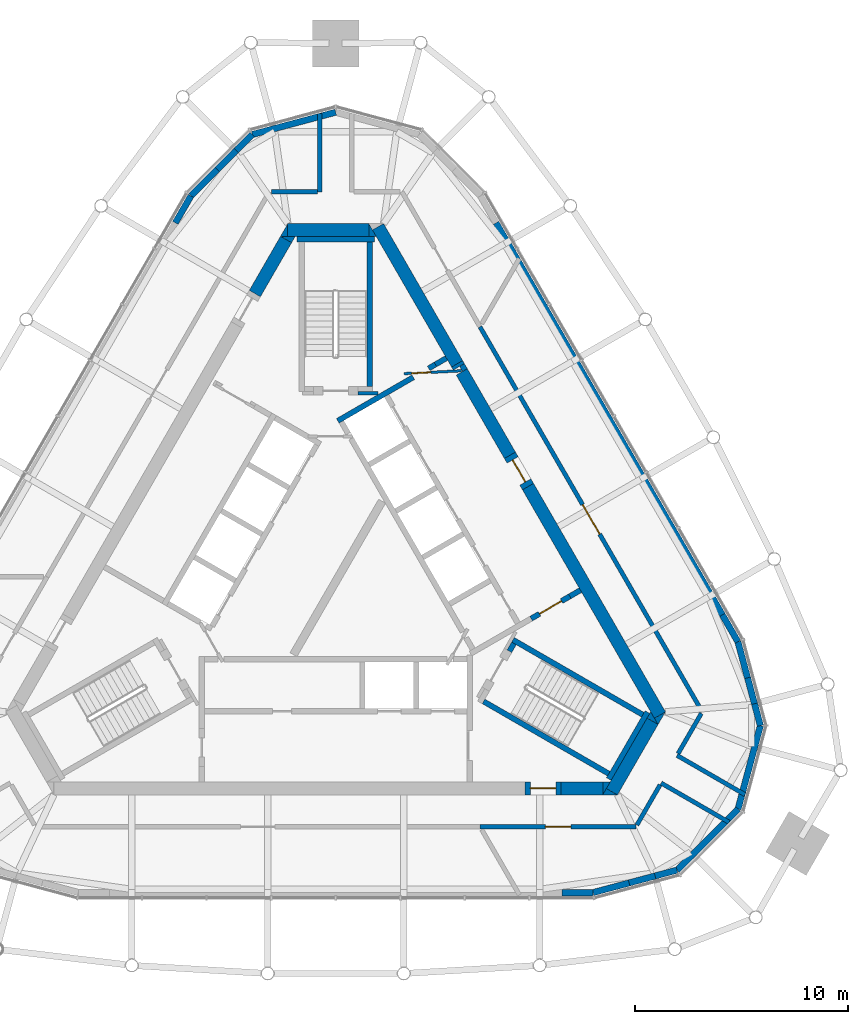
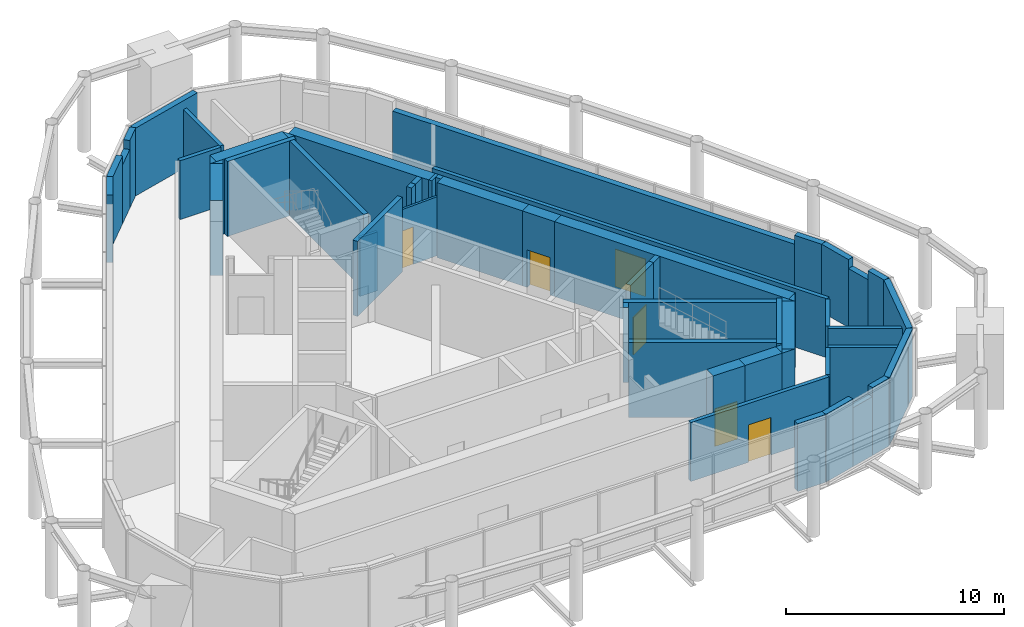
# One storey, part 9 of 11: 55 walls, 6 doors, 6 openings.
"""IFC4 building model written with IfcOpenShell, lengths in metres."""

import ifcopenshell
import ifcopenshell.guid

model = None  # the IFC model being written
_history = None  # IfcOwnerHistory: only IFC2X3 demands one
_inside = {}  # id of a spatial element -> (the spatial element, [elements in it])
_under = {}  # id of a project, library or spatial element -> (it, [spatial elements below it])
_declared = {}  # id of a project -> (the project, [libraries it declares])
_typed = {}  # id of a type object -> (the type object, [elements of that type])
_made_of = {}  # id of a material, layer set ... -> (it, [elements and type objects made of it])


def new_model(schema):
    """Start an empty IFC model of exactly this schema.

    Asked for "IFC4X3", IfcOpenShell would pick the latest addendum, in which some entities
    have other attributes; the version numbers below select the first issue.
    IFC2X3 requires an IfcOwnerHistory on every rooted entity: one is made here for all.
    """
    global model, _history
    if schema == "IFC4X3":
        model = ifcopenshell.file(schema_version=(4, 3, 0, 0))
    else:
        model = ifcopenshell.file(schema=schema)
    _inside.clear()
    _under.clear()
    _declared.clear()
    _typed.clear()
    _made_of.clear()
    _history = None
    if model.schema == "IFC2X3":
        org = make("IfcOrganization", Name="unknown")
        user = make(
            "IfcPersonAndOrganization",
            ThePerson=make("IfcPerson", FamilyName="unknown"),
            TheOrganization=org,
        )
        app = make(
            "IfcApplication",
            ApplicationDeveloper=org,
            Version="unknown",
            ApplicationFullName="unknown",
            ApplicationIdentifier="unknown",
        )
        _history = make(
            "IfcOwnerHistory",
            OwningUser=user,
            OwningApplication=app,
            ChangeAction="ADDED",
            CreationDate=0,
        )
    return model


def make(cls, **values):
    """One entity of the class cls with the attributes given. An attribute that is None is left unset."""
    return model.create_entity(
        cls, **{name: value for name, value in values.items() if value is not None}
    )


def rooted(cls, **values):
    """An entity with a GlobalId (a new one), such as an element, a storey or a relation."""
    return make(cls, GlobalId=ifcopenshell.guid.new(), OwnerHistory=_history, **values)


def si_unit(unit_type, name, prefix=None):
    """IfcSIUnit, for example si_unit("LENGTHUNIT", "METRE", prefix="MILLI")."""
    return make("IfcSIUnit", UnitType=unit_type, Prefix=prefix, Name=name)


def assignment(units):
    """IfcUnitAssignment: the units of a project."""
    return None if units is None else make("IfcUnitAssignment", Units=units)


def point(xyz):
    """IfcCartesianPoint."""
    return None if xyz is None else make("IfcCartesianPoint", Coordinates=xyz)


def direction(xyz):
    """IfcDirection."""
    return None if xyz is None else make("IfcDirection", DirectionRatios=xyz)


def frame(location, z_axis=None, x_axis=None):
    """IfcAxis2Placement3D, a coordinate frame: its origin and axes. An axis left out is left unset."""
    return make(
        "IfcAxis2Placement3D",
        Location=point(location),
        Axis=direction(z_axis),
        RefDirection=direction(x_axis),
    )


def frame_2d(location, x_axis=None):
    """IfcAxis2Placement2D, a coordinate frame in the plane: its origin and x axis."""
    return make(
        "IfcAxis2Placement2D", Location=point(location), RefDirection=direction(x_axis)
    )


def origin():
    """The frame at (0, 0, 0) with its axes left unset."""
    return frame((0.0, 0.0, 0.0))


def place(relative_to, where):
    """IfcLocalPlacement: puts the frame where relative to a parent placement (None: the world)."""
    return make(
        "IfcLocalPlacement", PlacementRelTo=relative_to, RelativePlacement=where
    )


def context(
    kind, dimensions, precision=None, world=None, true_north=None, identifier=None
):
    """IfcGeometricRepresentationContext, for example the 3D "Model" context."""
    return make(
        "IfcGeometricRepresentationContext",
        ContextIdentifier=identifier,
        ContextType=kind,
        CoordinateSpaceDimension=dimensions,
        Precision=precision,
        WorldCoordinateSystem=world,
        TrueNorth=true_north,
    )


def subcontext(parent, identifier, kind, view, scale=None):
    """IfcGeometricRepresentationSubContext, for example "Body" below "Model"."""
    return make(
        "IfcGeometricRepresentationSubContext",
        ContextIdentifier=identifier,
        ContextType=kind,
        ParentContext=parent,
        TargetScale=scale,
        TargetView=view,
    )


def project(units=None, contexts=None):
    """IfcProject with its units and contexts."""
    return rooted(
        "IfcProject",
        Name="project",
        RepresentationContexts=contexts,
        UnitsInContext=assignment(units),
    )


def spatial(cls, under=None, at=None, **own):
    """A site, building, storey or space (cls), placed at a placement, below another one or the project."""
    s = rooted(cls, ObjectPlacement=at, **own)
    if under is not None:
        _under.setdefault(under.id(), (under, []))[1].append(s)
    return s


def polyline(points):
    """IfcPolyline through the points."""
    return make("IfcPolyline", Points=[point(p) for p in points])


def profile(cls, at=None, kind="AREA", **sizes):
    """A parametric profile (cls). Its sizes go by their IFC names, for example OverallWidth=200.0."""
    return make(cls, ProfileType=kind, Position=at, **sizes)


def rectangle(**sizes):
    """IfcRectangleProfileDef."""
    return profile("IfcRectangleProfileDef", **sizes)


def outline(outer, holes=None, kind="AREA"):
    """IfcArbitraryClosedProfileDef: a profile drawn as a closed curve; with holes, ...WithVoids."""
    if holes is None:
        return make("IfcArbitraryClosedProfileDef", ProfileType=kind, OuterCurve=outer)
    return make(
        "IfcArbitraryProfileDefWithVoids",
        ProfileType=kind,
        OuterCurve=outer,
        InnerCurves=holes,
    )


def extrude(swept, where, along, depth):
    """IfcExtrudedAreaSolid: the profile swept, set in the frame where, extruded along a direction by depth."""
    return make(
        "IfcExtrudedAreaSolid",
        SweptArea=swept,
        Position=where,
        ExtrudedDirection=direction(along),
        Depth=depth,
    )


def shape(context_of_items, identifier, shape_type, items):
    """IfcShapeRepresentation: the items that make up one representation, for example the "Body"."""
    return make(
        "IfcShapeRepresentation",
        ContextOfItems=context_of_items,
        RepresentationIdentifier=identifier,
        RepresentationType=shape_type,
        Items=items,
    )


def material(Name=None, Category=None):
    """IfcMaterial."""
    return make("IfcMaterial", Name=Name, Category=Category)


def layer(
    of_material, thickness, ventilated=None, Name=None, Category=None, Priority=None
):
    """IfcMaterialLayer: one layer of a wall or slab, of a material (None: an air gap)."""
    return make(
        "IfcMaterialLayer",
        Material=of_material,
        LayerThickness=thickness,
        IsVentilated=ventilated,
        Name=Name,
        Category=Category,
        Priority=Priority,
    )


def layer_set(layers, Name=None):
    """IfcMaterialLayerSet."""
    return make("IfcMaterialLayerSet", MaterialLayers=layers, LayerSetName=Name)


def made_of(thing, what):
    """Note that an element or type object is made of a material, layer set ...; save() writes the relation."""
    if what is not None:
        _made_of.setdefault(what.id(), (what, []))[1].append(thing)
    return thing


def type_object(cls, material=None, **own):
    """A type object (cls), such as IfcWallType, which elements share."""
    return made_of(rooted(cls, **own), material)


def element(
    cls,
    number,
    at=None,
    inside=None,
    cuts=None,
    type_object=None,
    material=None,
    context=None,
    identifier="Body",
    shape_type=None,
    held_by="IfcProductDefinitionShape",
    body=None,
    shapes=None,
    **own,
):
    """One element of the class cls, such as IfcWall. Its Tag is "e" and its number.

    at: its placement. inside: the storey or other place that contains it. cuts: it is an
    opening in that element (IfcRelVoidsElement). A single representation is given by context,
    identifier, shape_type and body (its items); several are given by shapes. held_by: the class
    of the entity that holds the representations. save() writes the other relations.
    """
    e = rooted(cls, Tag="e%d" % number, ObjectPlacement=at, **own)
    if body is not None:
        shapes = [shape(context, identifier, shape_type, body)]
    if shapes is not None:
        e.Representation = make(held_by, Representations=shapes)
    if inside is not None:
        _inside.setdefault(inside.id(), (inside, []))[1].append(e)
    if cuts is not None:
        rooted(
            "IfcRelVoidsElement", RelatingBuildingElement=cuts, RelatedOpeningElement=e
        )
    if type_object is not None:
        _typed.setdefault(type_object.id(), (type_object, []))[1].append(e)
    return made_of(e, material)


def fill(opening, filler):
    """IfcRelFillsElement: the door or window that sits in an opening."""
    return rooted(
        "IfcRelFillsElement",
        RelatingOpeningElement=opening,
        RelatedBuildingElement=filler,
    )


def aggregate(whole, parts):
    """IfcRelAggregates: a whole, such as a stair, and the parts it consists of."""
    return rooted("IfcRelAggregates", RelatingObject=whole, RelatedObjects=parts)


def save(model, path):
    """Write the relations noted so far, then the file.

    IfcRelAggregates (storeys below a building ...), IfcRelContainedInSpatialStructure (elements
    in a storey), IfcRelDefinesByType, IfcRelAssociatesMaterial and IfcRelDeclares: one each for
    every whole, place, type object, material and project.
    """
    for whole, parts in _under.values():
        aggregate(whole, parts)
    for where, things in _inside.values():
        rooted(
            "IfcRelContainedInSpatialStructure",
            RelatedElements=things,
            RelatingStructure=where,
        )
    for kind, things in _typed.values():
        rooted("IfcRelDefinesByType", RelatedObjects=things, RelatingType=kind)
    for what, things in _made_of.values():
        rooted("IfcRelAssociatesMaterial", RelatedObjects=things, RelatingMaterial=what)
    for by, libraries in _declared.values():
        rooted("IfcRelDeclares", RelatingContext=by, RelatedDefinitions=libraries)
    model.write(path)


model = new_model("IFC4")

# Units and contexts
model_context = context("Model", 3, precision=1e-05, world=origin(), true_north=direction((0.0, 1.0)))
body_context = subcontext(model_context, "Body", "Model", "MODEL_VIEW")
ifc_project = project(units=[si_unit("LENGTHUNIT", "METRE"), si_unit("AREAUNIT", "SQUARE_METRE"), si_unit("VOLUMEUNIT", "CUBIC_METRE"), si_unit("PLANEANGLEUNIT", "RADIAN"), si_unit("MASSUNIT", "GRAM", prefix="KILO")], contexts=[model_context])

# Site, building, storey
site_placement = place(None, origin())
site = spatial("IfcSite", under=ifc_project, at=site_placement, CompositionType="ELEMENT")
building_placement = place(site_placement, origin())
building = spatial("IfcBuilding", under=site, at=building_placement, Name="Mestral Congress Tower", CompositionType="ELEMENT")
storey_placement = place(building_placement, frame((0.0, 0.0, 344.39990234375)))
storey = spatial("IfcBuildingStorey", under=building, at=storey_placement, Name="L80", CompositionType="ELEMENT", Elevation=344.39990234375)

# Wall
ifc_material_1 = material(Name="Fire-rated board partition")
ifc_layer_1 = layer(ifc_material_1, 0.14990234375)
ifc_layer_set_1 = layer_set([ifc_layer_1], Name="Fire-rated board partition")
wall_type_1 = type_object("IfcWallType", Name="Core partition 150", PredefinedType="PARTITIONING", material=ifc_layer_set_1)
wall_1_placement = place(storey_placement, frame((1.050048828125, 8.62548828125, 0.0), z_axis=(0.0, 0.0, 1.0), x_axis=(1.0, 0.0, 0.0)))
element("IfcWall", 1, at=wall_1_placement, inside=storey, type_object=wall_type_1, Name="L80 core wall", PredefinedType="PARTITIONING", context=body_context, shape_type="SweptSolid", body=[
    extrude(rectangle(XDim=0.9287109375, YDim=0.14990234375, at=frame_2d((0.46435546875, 0.0))), origin(), (0.0, 0.0, 1.0), 3.300048828125),
])

# Wall, opening, door
ifc_layer_2 = layer(ifc_material_1, 0.1201171875)
ifc_layer_set_2 = layer_set([ifc_layer_2], Name="Fire-rated board partition")
wall_type_2 = type_object("IfcWallType", Name="Core partition 150 door-wall 120", PredefinedType="PARTITIONING", material=ifc_layer_set_2)
wall_2_placement = place(storey_placement, frame((5.917236328125, 9.684326171875, 0.0), z_axis=(0.0, 0.0, 1.0), x_axis=(-0.998758194515, -0.049820366212, 0.0)))
wall_2 = element("IfcWall", 2, at=wall_2_placement, inside=storey, type_object=wall_type_2, Name="L80 door wall", PredefinedType="PARTITIONING", context=body_context, shape_type="SweptSolid", body=[
    extrude(rectangle(XDim=2.7001953125, YDim=0.119873046875, at=frame_2d((1.35009765625, 0.0))), origin(), (0.0, 0.0, 1.0), 3.300048828125),
])
opening_1_placement = place(wall_2_placement, frame((1.449951171875, 0.0, 0.0)))
opening_1 = element("IfcOpeningElement", 3, at=opening_1_placement, cuts=wall_2, Name="Opening TD2", PredefinedType="OPENING", context=body_context, shape_type="SweptSolid", body=[
    extrude(rectangle(XDim=0.89990234375, YDim=2.10009765625, at=frame_2d((0.449951171875, 1.050048828125))), frame((0.0, 0.06982421875, 0.0), z_axis=(0.0, -1.0, 0.0), x_axis=(1.0, 0.0, 0.0)), (0.0, 0.0, 1.0), 0.139892578125),
])
ifc_material_2 = material(Name="Fire-rated steel door set", Category="steel")
door_type_1 = type_object("IfcDoorType", Name="Core door SR 900x2100", OperationType="SINGLE_SWING_LEFT", PredefinedType="DOOR", material=ifc_material_2)
door_1_placement = place(opening_1_placement, origin())
door_1 = element("IfcDoor", 4, at=door_1_placement, inside=storey, type_object=door_type_1, Name="Door TD2", OperationType="SINGLE_SWING_LEFT", OverallHeight=2.10009765625, OverallWidth=0.89990234375, PredefinedType="DOOR", context=body_context, shape_type="SweptSolid", body=[
    extrude(rectangle(XDim=0.89990234375, YDim=2.10009765625, at=frame_2d((0.449951171875, 1.050048828125))), frame((0.0, 0.02490234375, 0.0), z_axis=(0.0, -1.0, 0.0), x_axis=(1.0, 0.0, 0.0)), (0.0, 0.0, 1.0), 0.050048828125),
])
fill(opening_1, door_1)

# Walls
ifc_material_3 = material(Name="Concrete C60/75", Category="concrete")
ifc_layer_3 = layer(ifc_material_3, 0.60009765625)
ifc_layer_set_3 = layer_set([ifc_layer_3], Name="Concrete C60/75")
wall_type_3 = type_object("IfcWallType", Name="Core wall RC 600", PredefinedType="SOLIDWALL", material=ifc_layer_set_3)
wall_3_placement = place(storey_placement, frame((9.0419921875, 4.23876953125, 0.0), z_axis=(0.0, 0.0, 1.0), x_axis=(0.500005785455, -0.866022063525, 0.0)))
element("IfcWall", 5, at=wall_3_placement, inside=storey, type_object=wall_type_3, Name="L80 core wall", PredefinedType="SOLIDWALL", context=body_context, shape_type="SweptSolid", body=[
    extrude(rectangle(XDim=12.406494140625, YDim=0.60009765625, at=frame_2d((6.203125, 0.0))), origin(), (0.0, 0.0, 1.0), 4.2001953125),
])
placement = place(storey_placement, origin())
element("IfcWall", 6, at=placement, inside=storey, type_object=wall_type_3, Name="L80 core wall", PredefinedType="SOLIDWALL", context=body_context, shape_type="SweptSolid", body=[
    extrude(outline(polyline([(15.155517578125, -6.949951171875), (14.986572265625, -6.6572265625), (15.493408203125, -6.364501953125), (15.155517578125, -6.949951171875)])), origin(), (0.0, 0.0, 1.0), 4.2001953125),
])
wall_5_placement = place(storey_placement, frame((12.9873046875, -10.105712890625, 0.0), z_axis=(0.0, 0.0, 1.0), x_axis=(0.499950938802, 0.866053727428, 0.0)))
element("IfcWall", 7, at=wall_5_placement, inside=storey, type_object=wall_type_3, Name="L80 core wall", PredefinedType="SOLIDWALL", context=body_context, shape_type="SweptSolid", body=[
    extrude(rectangle(XDim=3.8232421875, YDim=0.60009765625, at=frame_2d((1.91162109375, 0.0))), origin(), (0.0, 0.0, 1.0), 4.2001953125),
])
element("IfcWall", 8, at=placement, inside=storey, type_object=wall_type_3, Name="L80 core wall", PredefinedType="SOLIDWALL", context=body_context, shape_type="SweptSolid", body=[
    extrude(outline(polyline([(12.726318359375, -9.957275390625), (13.2333984375, -10.25), (12.557373046875, -10.25), (12.726318359375, -9.957275390625)])), origin(), (0.0, 0.0, 1.0), 4.2001953125),
])
element("IfcWall", 9, at=placement, inside=storey, type_object=wall_type_3, Name="L80 core wall", PredefinedType="SOLIDWALL", context=body_context, shape_type="SweptSolid", body=[
    extrude(outline(polyline([(14.80908203125, -6.35009765625), (15.147216796875, -6.935791015625), (14.639892578125, -6.642822265625), (14.80908203125, -6.35009765625)])), origin(), (0.0, 0.0, 1.0), 4.2001953125),
])
wall_8_placement = place(storey_placement, frame((10.6044921875, -9.949951171875, 0.0), z_axis=(0.0, 0.0, 1.0), x_axis=(1.0, 0.0, 0.0)))
element("IfcWall", 10, at=wall_8_placement, inside=storey, type_object=wall_type_3, Name="L80 core wall", PredefinedType="SOLIDWALL", context=body_context, shape_type="SweptSolid", body=[
    extrude(rectangle(XDim=1.959228515625, YDim=0.60009765625, at=frame_2d((0.9794921875, 0.0))), origin(), (0.0, 0.0, 1.0), 4.2001953125),
])
element("IfcWall", 11, at=placement, inside=storey, type_object=wall_type_3, Name="L80 core wall", PredefinedType="SOLIDWALL", context=body_context, shape_type="SweptSolid", body=[
    extrude(outline(polyline([(12.90380859375, -9.64990234375), (12.56591796875, -10.235595703125), (12.56591796875, -9.64990234375), (12.90380859375, -9.64990234375)])), origin(), (0.0, 0.0, 1.0), 4.2001953125),
])
wall_10_placement = place(storey_placement, frame((5.708740234375, 10.01220703125, 0.0), z_axis=(0.0, 0.0, 1.0), x_axis=(0.500399834964, -0.865794435861, 0.0)))
element("IfcWall", 12, at=wall_10_placement, inside=storey, type_object=wall_type_3, Name="L80 core wall", PredefinedType="SOLIDWALL", context=body_context, shape_type="SweptSolid", body=[
    extrude(rectangle(XDim=0.166259765625, YDim=0.60009765625, at=frame_2d((0.0830078125, 0.0))), origin(), (0.0, 0.0, 1.0), 4.2001953125),
])
wall_11_placement = place(storey_placement, frame((5.927978515625, 9.632568359375, 0.0), z_axis=(0.0, 0.0, 1.0), x_axis=(0.499983823482, -0.8660347431, 0.0)))
element("IfcWall", 13, at=wall_11_placement, inside=storey, type_object=wall_type_3, Name="L80 core wall", PredefinedType="SOLIDWALL", context=body_context, shape_type="SweptSolid", body=[
    extrude(rectangle(XDim=4.528076171875, YDim=0.60009765625, at=frame_2d((2.26416015625, 0.0))), origin(), (0.0, 0.0, 1.0), 4.2001953125),
])
element("IfcWall", 14, at=placement, inside=storey, type_object=wall_type_3, Name="L80 core wall", PredefinedType="SOLIDWALL", context=body_context, shape_type="SweptSolid", body=[
    extrude(outline(polyline([(6.052734375, 10.016357421875), (6.186767578125, 9.7841796875), (5.961181640625, 9.654052734375), (5.8271484375, 9.88623046875), (6.052734375, 10.016357421875)])), origin(), (0.0, 0.0, 1.0), 4.2001953125),
])
wall_13_placement = place(storey_placement, frame((1.98876953125, 16.45556640625, 0.0), z_axis=(0.0, 0.0, 1.0), x_axis=(0.499990476767, -0.866030901956, 0.0)))
element("IfcWall", 15, at=wall_13_placement, inside=storey, type_object=wall_type_3, Name="L80 core wall", PredefinedType="SOLIDWALL", context=body_context, shape_type="SweptSolid", body=[
    extrude(rectangle(XDim=7.438232421875, YDim=0.60009765625, at=frame_2d((3.71923828125, 0.0))), origin(), (0.0, 0.0, 1.0), 4.2001953125),
])
wall_14_placement = place(storey_placement, frame((-2.258056640625, 16.300048828125, 0.0), z_axis=(0.0, 0.0, 1.0), x_axis=(1.0, 0.0, 0.0)))
element("IfcWall", 16, at=wall_14_placement, inside=storey, type_object=wall_type_3, Name="L80 core wall", PredefinedType="SOLIDWALL", context=body_context, shape_type="SweptSolid", body=[
    extrude(rectangle(XDim=3.8232421875, YDim=0.60009765625, at=frame_2d((1.91162109375, 0.0))), origin(), (0.0, 0.0, 1.0), 4.2001953125),
])
element("IfcWall", 17, at=placement, inside=storey, type_object=wall_type_3, Name="L80 core wall", PredefinedType="SOLIDWALL", context=body_context, shape_type="SweptSolid", body=[
    extrude(outline(polyline([(1.9052734375, 16.0), (1.5673828125, 16.0), (1.5673828125, 16.58544921875), (1.9052734375, 16.0)])), origin(), (0.0, 0.0, 1.0), 4.2001953125),
])
element("IfcWall", 18, at=placement, inside=storey, type_object=wall_type_3, Name="L80 core wall", PredefinedType="SOLIDWALL", context=body_context, shape_type="SweptSolid", body=[
    extrude(outline(polyline([(-2.59814453125, 16.0), (-2.260009765625, 16.58544921875), (-2.260009765625, 16.0), (-2.59814453125, 16.0)])), origin(), (0.0, 0.0, 1.0), 4.2001953125),
])
wall_17_placement = place(storey_placement, frame((-2.335205078125, 15.85546875, 0.0), z_axis=(0.0, 0.0, 1.0), x_axis=(-0.499960127962, -0.866048422692, 0.0)))
element("IfcWall", 19, at=wall_17_placement, inside=storey, type_object=wall_type_3, Name="L80 core wall", PredefinedType="SOLIDWALL", context=body_context, shape_type="SweptSolid", body=[
    extrude(rectangle(XDim=2.934326171875, YDim=0.60009765625, at=frame_2d((1.46728515625, 0.0))), origin(), (0.0, 0.0, 1.0), 4.2001953125),
])
element("IfcWall", 20, at=placement, inside=storey, type_object=wall_type_3, Name="L80 core wall", PredefinedType="SOLIDWALL", context=body_context, shape_type="SweptSolid", body=[
    extrude(outline(polyline([(-1.9052734375, 16.0), (-2.07421875, 15.707275390625), (-2.581298828125, 16.0), (-1.9052734375, 16.0)])), origin(), (0.0, 0.0, 1.0), 4.2001953125),
])

# Wall, opening, door
wall_19_placement = place(storey_placement, frame((10.6044921875, -9.949951171875, 0.0), z_axis=(0.0, 0.0, 1.0), x_axis=(-1.0, 0.0, 0.0)))
wall_19 = element("IfcWall", 21, at=wall_19_placement, inside=storey, type_object=wall_type_3, Name="L80 door wall", PredefinedType="SOLIDWALL", context=body_context, shape_type="SweptSolid", body=[
    extrude(rectangle(XDim=1.699951171875, YDim=0.60009765625, at=frame_2d((0.85009765625, 0.0))), origin(), (0.0, 0.0, 1.0), 4.2001953125),
])
opening_2_placement = place(wall_19_placement, frame((0.25, 0.0, 0.0)))
opening_2 = element("IfcOpeningElement", 22, at=opening_2_placement, cuts=wall_19, Name="Opening XD1", PredefinedType="OPENING", context=body_context, shape_type="SweptSolid", body=[
    extrude(rectangle(XDim=1.199951171875, YDim=2.10009765625, at=frame_2d((0.60009765625, 1.050048828125))), frame((0.0, 0.31005859375, 0.0), z_axis=(0.0, -1.0, 0.0), x_axis=(1.0, 0.0, 0.0)), (0.0, 0.0, 1.0), 0.6201171875),
])
door_type_2 = type_object("IfcDoorType", Name="Core door XD 1200x2100", OperationType="SINGLE_SWING_LEFT", PredefinedType="DOOR", material=ifc_material_2)
door_2_placement = place(opening_2_placement, origin())
door_2 = element("IfcDoor", 23, at=door_2_placement, inside=storey, type_object=door_type_2, Name="Door XD1", OperationType="SINGLE_SWING_LEFT", OverallHeight=2.10009765625, OverallWidth=1.199951171875, PredefinedType="DOOR", context=body_context, shape_type="SweptSolid", body=[
    extrude(rectangle(XDim=1.199951171875, YDim=2.10009765625, at=frame_2d((0.60009765625, 1.050048828125))), frame((0.0, 0.02490234375, 0.0), z_axis=(0.0, -1.0, 0.0), x_axis=(1.0, 0.0, 0.0)), (0.0, 0.0, 1.0), 0.050048828125),
])
fill(opening_2, door_2)

wall_20_placement = place(storey_placement, frame((8.19189453125, 5.711181640625, 0.0), z_axis=(0.0, 0.0, 1.0), x_axis=(0.500062241894, -0.865989465428, 0.0)))
wall_20 = element("IfcWall", 24, at=wall_20_placement, inside=storey, type_object=wall_type_3, Name="L80 door wall", PredefinedType="SOLIDWALL", context=body_context, shape_type="SweptSolid", body=[
    extrude(rectangle(XDim=1.699951171875, YDim=0.60009765625, at=frame_2d((0.85009765625, 0.0))), origin(), (0.0, 0.0, 1.0), 4.2001953125),
])
opening_3_placement = place(wall_20_placement, frame((0.25, 0.0, 0.0)))
opening_3 = element("IfcOpeningElement", 25, at=opening_3_placement, cuts=wall_20, Name="Opening XDL", PredefinedType="OPENING", context=body_context, shape_type="SweptSolid", body=[
    extrude(rectangle(XDim=1.199951171875, YDim=2.10009765625, at=frame_2d((0.60009765625, 1.050048828125))), frame((0.0, 0.31005859375, 0.0), z_axis=(0.0, -1.0, 0.0), x_axis=(1.0, 0.0, 0.0)), (0.0, 0.0, 1.0), 0.6201171875),
])
door_3_placement = place(opening_3_placement, origin())
door_3 = element("IfcDoor", 26, at=door_3_placement, inside=storey, type_object=door_type_2, Name="Door XDL", OperationType="SINGLE_SWING_LEFT", OverallHeight=2.10009765625, OverallWidth=1.199951171875, PredefinedType="DOOR", context=body_context, shape_type="SweptSolid", body=[
    extrude(rectangle(XDim=1.199951171875, YDim=2.10009765625, at=frame_2d((0.60009765625, 1.050048828125))), frame((0.0, 0.02490234375, 0.0), z_axis=(0.0, -1.0, 0.0), x_axis=(1.0, 0.0, 0.0)), (0.0, 0.0, 1.0), 0.050048828125),
])
fill(opening_3, door_3)

# Walls
ifc_material_4 = material(Name="Precast concrete C40/50 with limestone facing", Category="masonry")
ifc_layer_4 = layer(ifc_material_4, 0.300048828125)
ifc_layer_set_4 = layer_set([ifc_layer_4], Name="Precast concrete C40/50 with limestone facing")
wall_type_4 = type_object("IfcWallType", Name="Crown plant block wall 300", PredefinedType="SOLIDWALL", material=ifc_layer_set_4)
wall_21_placement = place(storey_placement, frame((12.104736328125, -14.85009765625, 0.0), z_axis=(0.0, 0.0, 1.0), x_axis=(0.965915089044, 0.258859113723, 0.0)))
element("IfcWall", 27, at=wall_21_placement, inside=storey, type_object=wall_type_4, Name="Plant block wall 1", PredefinedType="SOLIDWALL", context=body_context, shape_type="SweptSolid", body=[
    extrude(rectangle(XDim=1.75244140625, YDim=0.300048828125, at=frame_2d((0.876220703125, 0.0))), origin(), (0.0, 0.0, 1.0), 3.800048828125),
])
wall_22_placement = place(storey_placement, frame((15.018310546875, -14.0693359375, 0.0), z_axis=(0.0, 0.0, 1.0), x_axis=(0.965918371587, 0.258846864828, 0.0)))
element("IfcWall", 28, at=wall_22_placement, inside=storey, type_object=wall_type_4, Name="Plant block wall 1", PredefinedType="SOLIDWALL", context=body_context, shape_type="SweptSolid", body=[
    extrude(rectangle(XDim=1.06494140625, YDim=0.300048828125, at=frame_2d((0.532470703125, 0.0))), origin(), (0.0, 0.0, 1.0), 3.800048828125),
])
for number, where, z_axis, x_axis, name in (
    (29, (16.046875, -13.793701171875, 0.0), (0.0, 0.0, 1.0), (0.707106781187, 0.707106781187, 0.0), "Plant block wall 2"),
    (30, (18.918212890625, -10.92236328125, 0.0), (0.0, 0.0, 1.0), (0.258770144726, 0.965938927779, 0.0), "Plant block wall 3"),
):
    element("IfcWall", number, at=place(storey_placement, frame(where, z_axis=z_axis, x_axis=x_axis)), inside=storey, type_object=wall_type_4, Name=name, PredefinedType="SOLIDWALL", context=body_context, shape_type="SweptSolid", body=[
        extrude(rectangle(XDim=4.060791015625, YDim=0.300048828125, at=frame_2d((2.0302734375, 0.0))), origin(), (0.0, 0.0, 1.0), 3.800048828125),
    ])
wall_23_placement = place(storey_placement, frame((19.968994140625, -7.0, 0.0), z_axis=(0.0, 0.0, 1.0), x_axis=(-0.258690231517, 0.96596033258, 0.0)))
element("IfcWall", 31, at=wall_23_placement, inside=storey, type_object=wall_type_4, Name="Plant block wall 4", PredefinedType="SOLIDWALL", context=body_context, shape_type="SweptSolid", body=[
    extrude(rectangle(XDim=1.064453125, YDim=0.300048828125, at=frame_2d((0.5322265625, 0.0))), origin(), (0.0, 0.0, 1.0), 3.800048828125),
])
wall_24_placement = place(storey_placement, frame((19.366455078125, -4.750732421875, 0.0), z_axis=(0.0, 0.0, 1.0), x_axis=(-0.258824282894, 0.965924422812, 0.0)))
element("IfcWall", 32, at=wall_24_placement, inside=storey, type_object=wall_type_4, Name="Plant block wall 4", PredefinedType="SOLIDWALL", context=body_context, shape_type="SweptSolid", body=[
    extrude(rectangle(XDim=1.752685546875, YDim=0.300048828125, at=frame_2d((0.87646484375, 0.0))), origin(), (0.0, 0.0, 1.0), 3.800048828125),
])
wall_25_placement = place(storey_placement, frame((18.912841796875, -3.057861328125, 0.0), z_axis=(0.0, 0.0, 1.0), x_axis=(-0.500049712553, 0.865996700326, 0.0)))
element("IfcWall", 33, at=wall_25_placement, inside=storey, type_object=wall_type_4, Name="Plant block wall 5", PredefinedType="SOLIDWALL", context=body_context, shape_type="SweptSolid", body=[
    extrude(rectangle(XDim=1.463623046875, YDim=0.300048828125, at=frame_2d((0.73193359375, 0.0))), origin(), (0.0, 0.0, 1.0), 3.800048828125),
])
wall_26_placement = place(storey_placement, frame((0.0, 21.8447265625, 0.0), z_axis=(0.0, 0.0, 1.0), x_axis=(-0.965923898226, -0.258826240624, 0.0)))
element("IfcWall", 34, at=wall_26_placement, inside=storey, type_object=wall_type_4, Name="Plant block wall 8", PredefinedType="SOLIDWALL", context=body_context, shape_type="SweptSolid", body=[
    extrude(rectangle(XDim=4.060791015625, YDim=0.300048828125, at=frame_2d((2.0302734375, 0.0))), origin(), (0.0, 0.0, 1.0), 3.800048828125),
])
wall_27_placement = place(storey_placement, frame((-3.92236328125, 20.793701171875, 0.0), z_axis=(0.0, 0.0, 1.0), x_axis=(-0.707106781187, -0.707106781187, 0.0)))
element("IfcWall", 35, at=wall_27_placement, inside=storey, type_object=wall_type_4, Name="Plant block wall 9", PredefinedType="SOLIDWALL", context=body_context, shape_type="SweptSolid", body=[
    extrude(rectangle(XDim=1.064697265625, YDim=0.300048828125, at=frame_2d((0.5322265625, 0.0))), origin(), (0.0, 0.0, 1.0), 3.800048828125),
])
wall_28_placement = place(storey_placement, frame((-5.5693359375, 19.146728515625, 0.0), z_axis=(0.0, 0.0, 1.0), x_axis=(-0.707106781187, -0.707106781187, 0.0)))
element("IfcWall", 36, at=wall_28_placement, inside=storey, type_object=wall_type_4, Name="Plant block wall 9", PredefinedType="SOLIDWALL", context=body_context, shape_type="SweptSolid", body=[
    extrude(rectangle(XDim=1.751953125, YDim=0.300048828125, at=frame_2d((0.8759765625, 0.0))), origin(), (0.0, 0.0, 1.0), 3.800048828125),
])
for number, where, z_axis, x_axis, name in (
    (37, (-6.80810546875, 17.907958984375, 0.0), (0.0, 0.0, 1.0), (-0.499977492351, -0.866038398192, 0.0), "Plant block wall 10"),
    (38, (10.640869140625, -14.85009765625, 0.0), (0.0, 0.0, 1.0), (1.0, 0.0, 0.0), "Plant block wall 15"),
):
    element("IfcWall", number, at=place(storey_placement, frame(where, z_axis=z_axis, x_axis=x_axis)), inside=storey, type_object=wall_type_4, Name=name, PredefinedType="SOLIDWALL", context=body_context, shape_type="SweptSolid", body=[
        extrude(rectangle(XDim=1.4638671875, YDim=0.300048828125, at=frame_2d((0.73193359375, 0.0))), origin(), (0.0, 0.0, 1.0), 3.800048828125),
    ])
ifc_layer_5 = layer(ifc_material_4, 0.300048828125)
ifc_layer_set_5 = layer_set([ifc_layer_5], Name="Precast concrete C40/50 with limestone facing")
wall_type_5 = type_object("IfcWallType", Name="Crown plant block wall 300 under girder", PredefinedType="SOLIDWALL", material=ifc_layer_set_5)
for number, where, z_axis, x_axis, name in (
    (39, (13.79736328125, -14.396484375, 0.0), (0.0, 0.0, 1.0), (0.965926498018, 0.258816538161, 0.0), "Plant block wall 1"),
    (40, (19.693603515625, -5.9716796875, 0.0), (0.0, 0.0, 1.0), (-0.258816538161, 0.965926498018, 0.0), "Plant block wall 4"),
):
    element("IfcWall", number, at=place(storey_placement, frame(where, z_axis=z_axis, x_axis=x_axis)), inside=storey, type_object=wall_type_5, Name=name, PredefinedType="SOLIDWALL", context=body_context, shape_type="SweptSolid", body=[
        extrude(rectangle(XDim=1.263916015625, YDim=0.300048828125, at=frame_2d((0.6318359375, 0.0))), origin(), (0.0, 0.0, 1.0), 3.300048828125),
    ])
wall_29_placement = place(storey_placement, frame((18.180908203125, -1.790283203125, 0.0), z_axis=(0.0, 0.0, 1.0), x_axis=(-0.500002158106, 0.866024157798, 0.0)))
element("IfcWall", 41, at=wall_29_placement, inside=storey, type_object=wall_type_5, Name="Plant block wall 5", PredefinedType="SOLIDWALL", context=body_context, shape_type="SweptSolid", body=[
    extrude(rectangle(XDim=21.28173828125, YDim=0.300048828125, at=frame_2d((10.640869140625, 0.0))), origin(), (0.0, 0.0, 1.0), 3.300048828125),
])
wall_30_placement = place(storey_placement, frame((-4.67529296875, 20.040771484375, 0.0), z_axis=(0.0, 0.0, 1.0), x_axis=(-0.707106781187, -0.707106781187, 0.0)))
element("IfcWall", 42, at=wall_30_placement, inside=storey, type_object=wall_type_5, Name="Plant block wall 9", PredefinedType="SOLIDWALL", context=body_context, shape_type="SweptSolid", body=[
    extrude(rectangle(XDim=1.264404296875, YDim=0.300048828125, at=frame_2d((0.63232421875, 0.0))), origin(), (0.0, 0.0, 1.0), 3.300048828125),
])
ifc_layer_6 = layer(ifc_material_3, 0.25)
ifc_layer_set_6 = layer_set([ifc_layer_6], Name="Concrete C60/75")
wall_type_6 = type_object("IfcWallType", Name="Shaft wall RC 250", PredefinedType="SOLIDWALL", material=ifc_layer_set_6)
wall_31_placement = place(storey_placement, frame((11.507080078125, -0.631103515625, 0.0), z_axis=(0.0, 0.0, 1.0), x_axis=(-0.866093731455, -0.499881634324, 0.0)))
element("IfcWall", 43, at=wall_31_placement, inside=storey, type_object=wall_type_6, Name="L80 core wall", PredefinedType="SOLIDWALL", context=body_context, shape_type="SweptSolid", body=[
    extrude(rectangle(XDim=0.575439453125, YDim=0.25, at=frame_2d((0.28759765625, 0.0))), origin(), (0.0, 0.0, 1.0), 4.2001953125),
])
wall_32_placement = place(storey_placement, frame((3.647216796875, 9.38037109375, 0.0), z_axis=(0.0, 0.0, 1.0), x_axis=(-0.866027868628, -0.499995730742, 0.0)))
element("IfcWall", 44, at=wall_32_placement, inside=storey, type_object=wall_type_6, Name="L80 core wall", PredefinedType="SOLIDWALL", context=body_context, shape_type="SweptSolid", body=[
    extrude(rectangle(XDim=4.0986328125, YDim=0.25, at=frame_2d((2.04931640625, 0.0))), origin(), (0.0, 0.0, 1.0), 4.2001953125),
])
wall_33_placement = place(storey_placement, frame((4.6875, 9.98095703125, 0.0), z_axis=(0.0, 0.0, 1.0), x_axis=(-0.865974312977, -0.500088481434, 0.0)))
element("IfcWall", 45, at=wall_33_placement, inside=storey, type_object=wall_type_6, Name="L80 core wall", PredefinedType="SOLIDWALL", context=body_context, shape_type="SweptSolid", body=[
    extrude(rectangle(XDim=0.36572265625, YDim=0.25, at=frame_2d((0.182861328125, 0.0))), origin(), (0.0, 0.0, 1.0), 4.2001953125),
])
wall_34_placement = place(storey_placement, frame((4.689208984375, 9.98193359375, 0.0), z_axis=(0.0, 0.0, 1.0), x_axis=(0.865947592822, 0.500134748329, 0.0)))
element("IfcWall", 46, at=wall_34_placement, inside=storey, type_object=wall_type_6, Name="L80 core wall", PredefinedType="SOLIDWALL", context=body_context, shape_type="SweptSolid", body=[
    extrude(rectangle(XDim=0.597900390625, YDim=0.25, at=frame_2d((0.298828125, 0.0))), origin(), (0.0, 0.0, 1.0), 4.2001953125),
])

# Wall, opening, door
wall_35_placement = place(storey_placement, frame((11.0087890625, -0.918701171875, 0.0), z_axis=(0.0, 0.0, 1.0), x_axis=(-0.866059744384, -0.49994051562, 0.0)))
wall_35 = element("IfcWall", 47, at=wall_35_placement, inside=storey, type_object=wall_type_6, Name="L80 door wall", PredefinedType="SOLIDWALL", context=body_context, shape_type="SweptSolid", body=[
    extrude(rectangle(XDim=2.099853515625, YDim=0.25, at=frame_2d((1.0498046875, 0.0))), origin(), (0.0, 0.0, 1.0), 4.2001953125),
])
opening_4_placement = place(wall_35_placement, frame((0.449951171875, 0.0, 0.0)))
opening_4 = element("IfcOpeningElement", 48, at=opening_4_placement, cuts=wall_35, Name="Opening LB1-PX10", PredefinedType="OPENING", context=body_context, shape_type="SweptSolid", body=[
    extrude(rectangle(XDim=1.199951171875, YDim=2.10009765625, at=frame_2d((0.60009765625, 1.050048828125))), frame((0.0, 0.135009765625, 0.0), z_axis=(0.0, -1.0, 0.0), x_axis=(1.0, 0.0, 0.0)), (0.0, 0.0, 1.0), 0.27001953125),
])
door_type_3 = type_object("IfcDoorType", Name="Core door LB 1200x2100", OperationType="SINGLE_SWING_LEFT", PredefinedType="DOOR", material=ifc_material_2)
door_4_placement = place(opening_4_placement, origin())
door_4 = element("IfcDoor", 49, at=door_4_placement, inside=storey, type_object=door_type_3, Name="Door LB1-PX10", OperationType="SINGLE_SWING_LEFT", OverallHeight=2.10009765625, OverallWidth=1.199951171875, PredefinedType="DOOR", context=body_context, shape_type="SweptSolid", body=[
    extrude(rectangle(XDim=1.199951171875, YDim=2.10009765625, at=frame_2d((0.60009765625, 1.050048828125))), frame((0.0, 0.02490234375, 0.0), z_axis=(0.0, -1.0, 0.0), x_axis=(1.0, 0.0, 0.0)), (0.0, 0.0, 1.0), 0.050048828125),
])
fill(opening_4, door_4)

ifc_material_5 = material(Name="Concrete block wall, plastered", Category="concrete")
ifc_layer_7 = layer(ifc_material_5, 0.199951171875)
ifc_layer_set_7 = layer_set([ifc_layer_7], Name="Concrete block wall, plastered")
wall_type_7 = type_object("IfcWallType", Name="Special partition 200 EI 120", PredefinedType="PARTITIONING", material=ifc_layer_set_7)
wall_36_placement = place(storey_placement, frame((17.23388671875, -6.35009765625, 0.0), z_axis=(0.0, 0.0, 1.0), x_axis=(-0.499998496574, 0.866026271786, 0.0)))
wall_36 = element("IfcWall", 50, at=wall_36_placement, inside=storey, type_object=wall_type_7, Name="Partition", PredefinedType="PARTITIONING", context=body_context, shape_type="SweptSolid", body=[
    extrude(rectangle(XDim=20.900390625, YDim=0.199951171875, at=frame_2d((10.4501953125, 0.0))), origin(), (0.0, 0.0, 1.0), 3.300048828125),
])
opening_5_placement = place(wall_36_placement, frame((9.650146484375, 0.0, 0.0)))
opening_5 = element("IfcOpeningElement", 51, at=opening_5_placement, cuts=wall_36, Name="Opening K80-004", PredefinedType="OPENING", context=body_context, shape_type="SweptSolid", body=[
    extrude(rectangle(XDim=1.60009765625, YDim=2.10009765625, at=frame_2d((0.800048828125, 1.050048828125))), frame((0.0, 0.10986328125, 0.0), z_axis=(0.0, -1.0, 0.0), x_axis=(1.0, 0.0, 0.0)), (0.0, 0.0, 1.0), 0.219970703125),
])
door_type_4 = type_object("IfcDoorType", Name="Plant room double door 1600x2100", OperationType="DOUBLE_DOOR_SINGLE_SWING", PredefinedType="DOOR", material=ifc_material_2)
door_5_placement = place(opening_5_placement, origin())
door_5 = element("IfcDoor", 52, at=door_5_placement, inside=storey, type_object=door_type_4, Name="Door K80-004", OperationType="DOUBLE_DOOR_SINGLE_SWING", OverallHeight=2.10009765625, OverallWidth=1.60009765625, PredefinedType="DOOR", context=body_context, shape_type="SweptSolid", body=[
    extrude(rectangle(XDim=1.60009765625, YDim=2.10009765625, at=frame_2d((0.800048828125, 1.050048828125))), frame((0.0, 0.02490234375, 0.0), z_axis=(0.0, -1.0, 0.0), x_axis=(1.0, 0.0, 0.0)), (0.0, 0.0, 1.0), 0.050048828125),
])
fill(opening_5, door_5)

wall_37_placement = place(storey_placement, frame((6.793701171875, -11.75, 0.0), z_axis=(0.0, 0.0, 1.0), x_axis=(1.0, 0.0, 0.0)))
wall_37 = element("IfcWall", 53, at=wall_37_placement, inside=storey, type_object=wall_type_7, Name="Partition", PredefinedType="PARTITIONING", context=body_context, shape_type="SweptSolid", body=[
    extrude(rectangle(XDim=7.322509765625, YDim=0.199951171875, at=frame_2d((3.6611328125, 0.0))), origin(), (0.0, 0.0, 1.0), 3.300048828125),
])
opening_6_placement = place(wall_37_placement, frame((3.061279296875, 0.0, 0.0)))
opening_6 = element("IfcOpeningElement", 54, at=opening_6_placement, cuts=wall_37, Name="Opening K80-003", PredefinedType="OPENING", context=body_context, shape_type="SweptSolid", body=[
    extrude(rectangle(XDim=1.199951171875, YDim=2.10009765625, at=frame_2d((0.60009765625, 1.050048828125))), frame((0.0, 0.10986328125, 0.0), z_axis=(0.0, -1.0, 0.0), x_axis=(1.0, 0.0, 0.0)), (0.0, 0.0, 1.0), 0.219970703125),
])
door_type_5 = type_object("IfcDoorType", Name="Plant room door 1200x2100", OperationType="SINGLE_SWING_LEFT", PredefinedType="DOOR", material=ifc_material_2)
door_6_placement = place(opening_6_placement, origin())
door_6 = element("IfcDoor", 55, at=door_6_placement, inside=storey, type_object=door_type_5, Name="Door K80-003", OperationType="SINGLE_SWING_RIGHT", OverallHeight=2.10009765625, OverallWidth=1.199951171875, PredefinedType="DOOR", context=body_context, shape_type="SweptSolid", body=[
    extrude(rectangle(XDim=1.199951171875, YDim=2.10009765625, at=frame_2d((0.60009765625, 1.050048828125))), frame((0.0, 0.02490234375, 0.0), z_axis=(0.0, -1.0, 0.0), x_axis=(1.0, 0.0, 0.0)), (0.0, 0.0, 1.0), 0.050048828125),
])
fill(opening_6, door_6)

# Walls
for number, where, z_axis, x_axis, name in (
    (56, (16.050048828125, -8.400390625, 0.0), (0.0, 0.0, 1.0), (0.866026863259, -0.499997472108, 0.0), "Partition"),
    (57, (18.494384765625, -11.543701171875, 0.0), (0.0, 0.0, 1.0), (-0.866026863259, 0.499997472108, 0.0), "Partition"),
    (58, (-0.75, 18.10009765625, 0.0), (0.0, 0.0, 1.0), (0.0, 1.0, 0.0), "Partition"),
):
    element("IfcWall", number, at=place(storey_placement, frame(where, z_axis=z_axis, x_axis=x_axis)), inside=storey, type_object=wall_type_7, Name=name, PredefinedType="PARTITIONING", context=body_context, shape_type="SweptSolid", body=[
        extrude(rectangle(XDim=3.6884765625, YDim=0.199951171875, at=frame_2d((1.84423828125, 0.0))), origin(), (0.0, 0.0, 1.0), 3.300048828125),
    ])
wall_38_placement = place(storey_placement, frame((-3.027587890625, 18.10009765625, 0.0), z_axis=(0.0, 0.0, 1.0), x_axis=(1.0, 0.0, 0.0)))
element("IfcWall", 59, at=wall_38_placement, inside=storey, type_object=wall_type_7, Name="Partition", PredefinedType="PARTITIONING", context=body_context, shape_type="SweptSolid", body=[
    extrude(rectangle(XDim=2.177490234375, YDim=0.199951171875, at=frame_2d((1.0888671875, 0.0))), origin(), (0.0, 0.0, 1.0), 3.300048828125),
])
for number, where, z_axis, x_axis, name in (
    (60, (15.25, -9.7861328125, 0.0), (0.0, 0.0, 1.0), (-0.499997407846, -0.86602690036, 0.0), "Partition"),
    (61, (17.18896484375, -6.427978515625, 0.0), (0.0, 0.0, 1.0), (-0.499997407846, -0.86602690036, 0.0), "Partition"),
):
    element("IfcWall", number, at=place(storey_placement, frame(where, z_axis=z_axis, x_axis=x_axis)), inside=storey, type_object=wall_type_7, Name=name, PredefinedType="PARTITIONING", context=body_context, shape_type="SweptSolid", body=[
        extrude(rectangle(XDim=2.177734375, YDim=0.199951171875, at=frame_2d((1.0888671875, 0.0))), origin(), (0.0, 0.0, 1.0), 3.300048828125),
    ])
ifc_layer_8 = layer(ifc_material_3, 0.25)
ifc_layer_set_8 = layer_set([ifc_layer_8], Name="Concrete C60/75")
wall_type_8 = type_object("IfcWallType", Name="Stair wall RC 250", PredefinedType="SOLIDWALL", material=ifc_layer_set_8)
wall_39_placement = place(storey_placement, frame((12.839599609375, -9.510986328125, 0.0), z_axis=(0.0, 0.0, 1.0), x_axis=(0.500048121057, 0.865997619297, 0.0)))
element("IfcWall", 62, at=wall_39_placement, inside=storey, type_object=wall_type_8, Name="L80 core wall", PredefinedType="SOLIDWALL", context=body_context, shape_type="SweptSolid", body=[
    extrude(rectangle(XDim=3.634033203125, YDim=0.25, at=frame_2d((1.81689453125, 0.0))), origin(), (0.0, 0.0, 1.0), 4.2001953125),
])
wall_40_placement = place(storey_placement, frame((12.83984375, -9.2607421875, 0.0), z_axis=(0.0, 0.0, 1.0), x_axis=(-0.866013990052, 0.500019768644, 0.0)))
element("IfcWall", 63, at=wall_40_placement, inside=storey, type_object=wall_type_8, Name="L80 core wall", PredefinedType="SOLIDWALL", context=body_context, shape_type="SweptSolid", body=[
    extrude(rectangle(XDim=6.800048828125, YDim=0.25, at=frame_2d((3.39990234375, 0.0))), origin(), (0.0, 0.0, 1.0), 4.2001953125),
])
wall_41_placement = place(storey_placement, frame((8.33447265625, -2.96435546875, 0.0), z_axis=(0.0, 0.0, 1.0), x_axis=(0.866016039709, -0.500016218704, 0.0)))
element("IfcWall", 64, at=wall_41_placement, inside=storey, type_object=wall_type_8, Name="L80 core wall", PredefinedType="SOLIDWALL", context=body_context, shape_type="SweptSolid", body=[
    extrude(rectangle(XDim=7.050048828125, YDim=0.25, at=frame_2d((3.52490234375, 0.0))), origin(), (0.0, 0.0, 1.0), 4.2001953125),
])
wall_42_placement = place(storey_placement, frame((8.167724609375, -3.503173828125, 0.0), z_axis=(0.0, 0.0, 1.0), x_axis=(0.49972245349, 0.866185586049, 0.0)))
element("IfcWall", 65, at=wall_42_placement, inside=storey, type_object=wall_type_8, Name="L80 core wall", PredefinedType="SOLIDWALL", context=body_context, shape_type="SweptSolid", body=[
    extrude(rectangle(XDim=0.425048828125, YDim=0.25, at=frame_2d((0.21240234375, 0.0))), origin(), (0.0, 0.0, 1.0), 4.2001953125),
])
wall_43_placement = place(storey_placement, frame((-1.81689453125, 15.875, 0.0), z_axis=(0.0, 0.0, 1.0), x_axis=(1.0, 0.0, 0.0)))
element("IfcWall", 66, at=wall_43_placement, inside=storey, type_object=wall_type_8, Name="L80 core wall", PredefinedType="SOLIDWALL", context=body_context, shape_type="SweptSolid", body=[
    extrude(rectangle(XDim=3.6337890625, YDim=0.25, at=frame_2d((1.81689453125, 0.0))), origin(), (0.0, 0.0, 1.0), 4.2001953125),
])
wall_44_placement = place(storey_placement, frame((1.60009765625, 8.949951171875, 0.0), z_axis=(0.0, 0.0, 1.0), x_axis=(0.0, 1.0, 0.0)))
element("IfcWall", 67, at=wall_44_placement, inside=storey, type_object=wall_type_8, Name="L80 core wall", PredefinedType="SOLIDWALL", context=body_context, shape_type="SweptSolid", body=[
    extrude(rectangle(XDim=6.800048828125, YDim=0.25, at=frame_2d((3.39990234375, 0.0))), origin(), (0.0, 0.0, 1.0), 4.2001953125),
])

save(model, "model.ifc")
